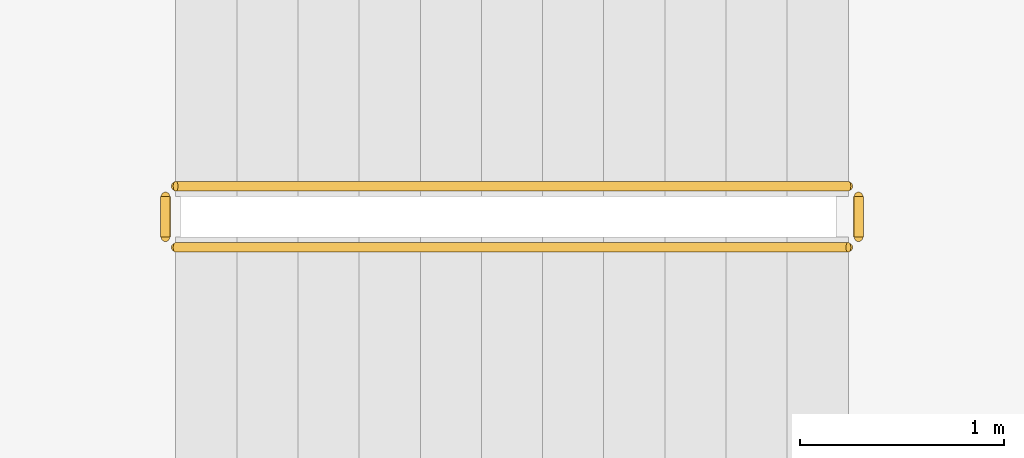
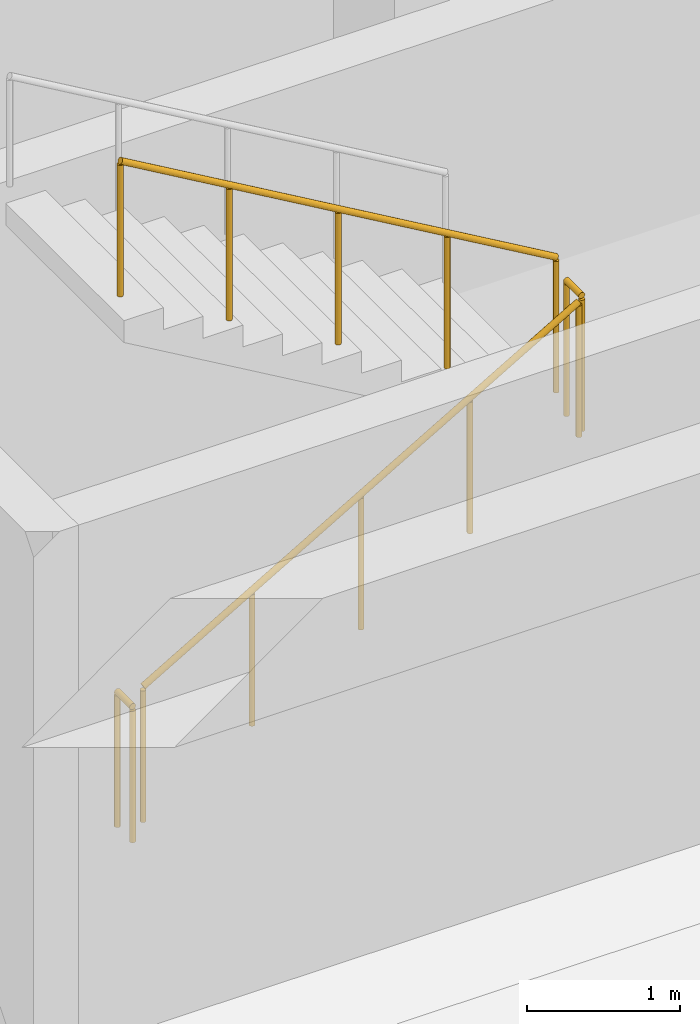
# One storey, part 68 of 74: 4 railings.
"""IFC4 building model written with IfcOpenShell, lengths in metres."""

from ifc_helpers import new_model, si_unit, direction, frame, origin, origin_2d, place, context, subcontext, project, spatial, circle, extrude, material, type_object, element, save


model = new_model("IFC4")

# Units and contexts
model_context = context("Model", 3, precision=1e-05, world=origin(), true_north=direction((0.0, 1.0)))
body_context = subcontext(model_context, "Body", "Model", "MODEL_VIEW")
ifc_project = project(units=[si_unit("LENGTHUNIT", "METRE"), si_unit("AREAUNIT", "SQUARE_METRE"), si_unit("VOLUMEUNIT", "CUBIC_METRE"), si_unit("PLANEANGLEUNIT", "RADIAN"), si_unit("MASSUNIT", "GRAM", prefix="KILO")], contexts=[model_context])

# Site, building, storey
site_placement = place(None, origin())
site = spatial("IfcSite", under=ifc_project, at=site_placement, CompositionType="ELEMENT")
building_placement = place(site_placement, origin())
building = spatial("IfcBuilding", under=site, at=building_placement, Name="Korsvaeld Concert Hall", CompositionType="ELEMENT")
storey_placement = place(building_placement, frame((0.0, 0.0, 9.0)))
storey = spatial("IfcBuildingStorey", under=building, at=storey_placement, Name="L02", CompositionType="ELEMENT", Elevation=9.0)

# Railings
ifc_material = material(Name="Powder-coated steel and bronze stair guardrail", Category="steel")
railing_type = type_object("IfcRailingType", Name="RL-STAIR-GUARD-120", PredefinedType="GUARDRAIL", material=ifc_material)
railing_1_placement = place(storey_placement, frame((53.52001953125, 45.8701171875, 0.175048828125)))
element("IfcRailing", 1, at=railing_1_placement, inside=storey, type_object=railing_type, Name="L02 ST-K3 stair guard 1", PredefinedType="GUARDRAIL", context=body_context, shape_type="SweptSolid", body=[
    extrude(circle(Radius=0.02392578125, at=origin_2d()), frame((0.0, 0.0, 1.076171875), z_axis=(0.863776583165, 0.0, 0.503874998761), x_axis=(0.0, 1.0, 0.0)), (0.0, 0.0, 1.0), 3.820556640625),
    extrude(circle(Radius=0.02099609375, at=origin_2d()), origin(), (0.0, 0.0, 1.0), 1.052001953125),
    extrude(circle(Radius=0.02099609375, at=origin_2d()), frame((0.824951171875, 0.0, 0.481201171875)), (0.0, 0.0, 1.0), 1.052001953125),
    extrude(circle(Radius=0.02099609375, at=origin_2d()), frame((1.64990234375, 0.0, 0.96240234375)), (0.0, 0.0, 1.0), 1.052001953125),
    extrude(circle(Radius=0.02099609375, at=origin_2d()), frame((2.47509765625, 0.0, 1.44384765625)), (0.0, 0.0, 1.0), 1.052001953125),
    extrude(circle(Radius=0.02099609375, at=origin_2d()), frame((3.300048828125, 0.0, 1.925048828125)), (0.0, 0.0, 1.0), 1.052001953125),
])
railing_2_placement = place(storey_placement, frame((56.8701171875, 45.919921875, 2.10009765625)))
element("IfcRailing", 2, at=railing_2_placement, inside=storey, type_object=railing_type, Name="L02 ST-K3 stair guard 2", PredefinedType="GUARDRAIL", context=body_context, shape_type="SweptSolid", body=[
    extrude(circle(Radius=0.02392578125, at=origin_2d()), frame((0.0, 0.0, 1.076171875), z_axis=(0.0, 1.0, 0.0), x_axis=(-1.0, 0.0, 0.0)), (0.0, 0.0, 1.0), 0.2001953125),
    extrude(circle(Radius=0.02099609375, at=origin_2d()), origin(), (0.0, 0.0, 1.0), 1.052001953125),
    extrude(circle(Radius=0.02099609375, at=origin_2d()), frame((0.0, 0.2001953125, 0.0)), (0.0, 0.0, 1.0), 1.052001953125),
])
railing_3_placement = place(storey_placement, frame((56.820068359375, 46.169921875, 2.27490234375)))
element("IfcRailing", 3, at=railing_3_placement, inside=storey, type_object=railing_type, Name="L02 ST-K3 stair guard 3", PredefinedType="GUARDRAIL", context=body_context, shape_type="SweptSolid", body=[
    extrude(circle(Radius=0.02392578125, at=origin_2d()), frame((0.0, 0.0, 1.076171875), z_axis=(-0.863776583165, 0.0, 0.503874998761), x_axis=(0.0, -1.0, 0.0)), (0.0, 0.0, 1.0), 3.820556640625),
    extrude(circle(Radius=0.02099609375, at=origin_2d()), origin(), (0.0, 0.0, 1.0), 1.052001953125),
    extrude(circle(Radius=0.02099609375, at=origin_2d()), frame((-0.824951171875, 0.0, 0.481201171875)), (0.0, 0.0, 1.0), 1.052001953125),
    extrude(circle(Radius=0.02099609375, at=origin_2d()), frame((-1.64990234375, 0.0, 0.96240234375)), (0.0, 0.0, 1.0), 1.052001953125),
    extrude(circle(Radius=0.02099609375, at=origin_2d()), frame((-2.47509765625, 0.0, 1.44384765625)), (0.0, 0.0, 1.0), 1.052001953125),
    extrude(circle(Radius=0.02099609375, at=origin_2d()), frame((-3.300048828125, 0.0, 1.925048828125)), (0.0, 0.0, 1.0), 1.052001953125),
])
railing_4_placement = place(storey_placement, frame((53.469970703125, 45.919921875, 0.0)))
element("IfcRailing", 4, at=railing_4_placement, inside=storey, type_object=railing_type, Name="L02 ST-K3 stair guard 4", PredefinedType="GUARDRAIL", context=body_context, shape_type="SweptSolid", body=[
    extrude(circle(Radius=0.02392578125, at=origin_2d()), frame((0.0, 0.0, 1.076171875), z_axis=(0.0, 1.0, 0.0), x_axis=(-1.0, 0.0, 0.0)), (0.0, 0.0, 1.0), 0.2001953125),
    extrude(circle(Radius=0.02099609375, at=origin_2d()), origin(), (0.0, 0.0, 1.0), 1.052001953125),
    extrude(circle(Radius=0.02099609375, at=origin_2d()), frame((0.0, 0.2001953125, 0.0)), (0.0, 0.0, 1.0), 1.052001953125),
])

save(model, "model.ifc")
